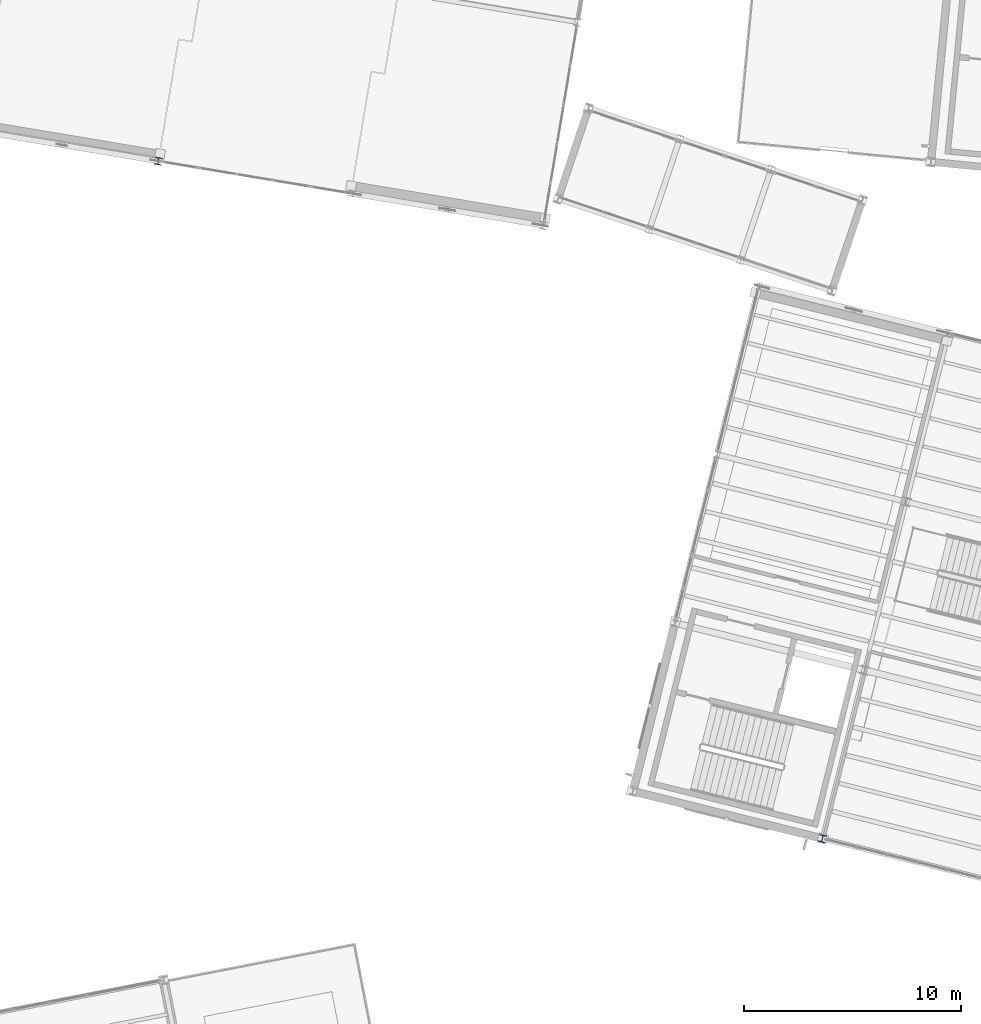
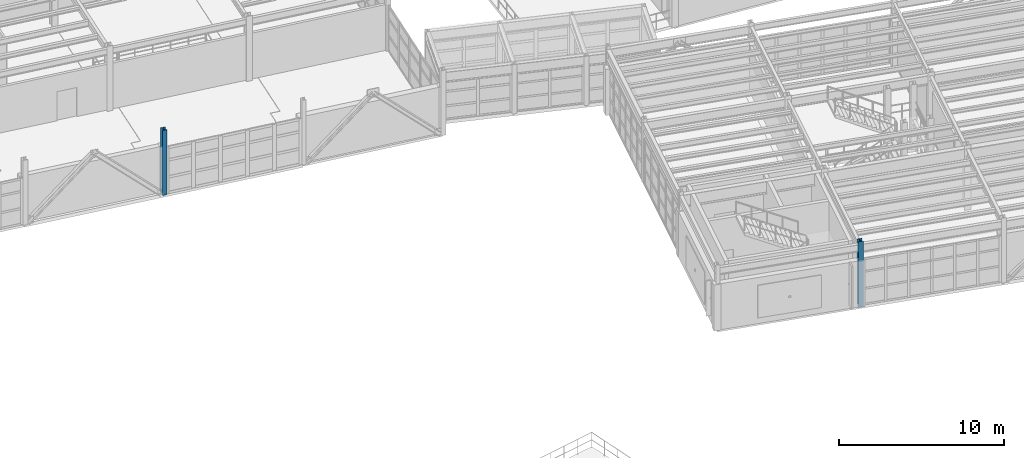
# One storey, part 3 of 102: 2 columns.
"""IFC4 building model written with IfcOpenShell, lengths in metres."""

import ifcopenshell
import ifcopenshell.guid

model = None  # the IFC model being written
_history = None  # IfcOwnerHistory: only IFC2X3 demands one
_inside = {}  # id of a spatial element -> (the spatial element, [elements in it])
_under = {}  # id of a project, library or spatial element -> (it, [spatial elements below it])
_declared = {}  # id of a project -> (the project, [libraries it declares])
_typed = {}  # id of a type object -> (the type object, [elements of that type])
_made_of = {}  # id of a material, layer set ... -> (it, [elements and type objects made of it])


def new_model(schema):
    """Start an empty IFC model of exactly this schema.

    Asked for "IFC4X3", IfcOpenShell would pick the latest addendum, in which some entities
    have other attributes; the version numbers below select the first issue.
    IFC2X3 requires an IfcOwnerHistory on every rooted entity: one is made here for all.
    """
    global model, _history
    if schema == "IFC4X3":
        model = ifcopenshell.file(schema_version=(4, 3, 0, 0))
    else:
        model = ifcopenshell.file(schema=schema)
    _inside.clear()
    _under.clear()
    _declared.clear()
    _typed.clear()
    _made_of.clear()
    _history = None
    if model.schema == "IFC2X3":
        org = make("IfcOrganization", Name="unknown")
        user = make(
            "IfcPersonAndOrganization",
            ThePerson=make("IfcPerson", FamilyName="unknown"),
            TheOrganization=org,
        )
        app = make(
            "IfcApplication",
            ApplicationDeveloper=org,
            Version="unknown",
            ApplicationFullName="unknown",
            ApplicationIdentifier="unknown",
        )
        _history = make(
            "IfcOwnerHistory",
            OwningUser=user,
            OwningApplication=app,
            ChangeAction="ADDED",
            CreationDate=0,
        )
    return model


def make(cls, **values):
    """One entity of the class cls with the attributes given. An attribute that is None is left unset."""
    return model.create_entity(
        cls, **{name: value for name, value in values.items() if value is not None}
    )


def rooted(cls, **values):
    """An entity with a GlobalId (a new one), such as an element, a storey or a relation."""
    return make(cls, GlobalId=ifcopenshell.guid.new(), OwnerHistory=_history, **values)


def si_unit(unit_type, name, prefix=None):
    """IfcSIUnit, for example si_unit("LENGTHUNIT", "METRE", prefix="MILLI")."""
    return make("IfcSIUnit", UnitType=unit_type, Prefix=prefix, Name=name)


def assignment(units):
    """IfcUnitAssignment: the units of a project."""
    return None if units is None else make("IfcUnitAssignment", Units=units)


def point(xyz):
    """IfcCartesianPoint."""
    return None if xyz is None else make("IfcCartesianPoint", Coordinates=xyz)


def direction(xyz):
    """IfcDirection."""
    return None if xyz is None else make("IfcDirection", DirectionRatios=xyz)


def frame(location, z_axis=None, x_axis=None):
    """IfcAxis2Placement3D, a coordinate frame: its origin and axes. An axis left out is left unset."""
    return make(
        "IfcAxis2Placement3D",
        Location=point(location),
        Axis=direction(z_axis),
        RefDirection=direction(x_axis),
    )


def frame_2d(location, x_axis=None):
    """IfcAxis2Placement2D, a coordinate frame in the plane: its origin and x axis."""
    return make(
        "IfcAxis2Placement2D", Location=point(location), RefDirection=direction(x_axis)
    )


def origin():
    """The frame at (0, 0, 0) with its axes left unset."""
    return frame((0.0, 0.0, 0.0))


def origin_2d():
    """The frame at (0, 0) in the plane with its x axis left unset."""
    return frame_2d((0.0, 0.0))


def place(relative_to, where):
    """IfcLocalPlacement: puts the frame where relative to a parent placement (None: the world)."""
    return make(
        "IfcLocalPlacement", PlacementRelTo=relative_to, RelativePlacement=where
    )


def context(
    kind, dimensions, precision=None, world=None, true_north=None, identifier=None
):
    """IfcGeometricRepresentationContext, for example the 3D "Model" context."""
    return make(
        "IfcGeometricRepresentationContext",
        ContextIdentifier=identifier,
        ContextType=kind,
        CoordinateSpaceDimension=dimensions,
        Precision=precision,
        WorldCoordinateSystem=world,
        TrueNorth=true_north,
    )


def subcontext(parent, identifier, kind, view, scale=None):
    """IfcGeometricRepresentationSubContext, for example "Body" below "Model"."""
    return make(
        "IfcGeometricRepresentationSubContext",
        ContextIdentifier=identifier,
        ContextType=kind,
        ParentContext=parent,
        TargetScale=scale,
        TargetView=view,
    )


def project(units=None, contexts=None):
    """IfcProject with its units and contexts."""
    return rooted(
        "IfcProject",
        Name="project",
        RepresentationContexts=contexts,
        UnitsInContext=assignment(units),
    )


def spatial(cls, under=None, at=None, **own):
    """A site, building, storey or space (cls), placed at a placement, below another one or the project."""
    s = rooted(cls, ObjectPlacement=at, **own)
    if under is not None:
        _under.setdefault(under.id(), (under, []))[1].append(s)
    return s


def profile(cls, at=None, kind="AREA", **sizes):
    """A parametric profile (cls). Its sizes go by their IFC names, for example OverallWidth=200.0."""
    return make(cls, ProfileType=kind, Position=at, **sizes)


def i_section(**sizes):
    """IfcIShapeProfileDef."""
    return profile("IfcIShapeProfileDef", **sizes)


def extrude(swept, where, along, depth):
    """IfcExtrudedAreaSolid: the profile swept, set in the frame where, extruded along a direction by depth."""
    return make(
        "IfcExtrudedAreaSolid",
        SweptArea=swept,
        Position=where,
        ExtrudedDirection=direction(along),
        Depth=depth,
    )


def shape(context_of_items, identifier, shape_type, items):
    """IfcShapeRepresentation: the items that make up one representation, for example the "Body"."""
    return make(
        "IfcShapeRepresentation",
        ContextOfItems=context_of_items,
        RepresentationIdentifier=identifier,
        RepresentationType=shape_type,
        Items=items,
    )


def material(Name=None, Category=None):
    """IfcMaterial."""
    return make("IfcMaterial", Name=Name, Category=Category)


def material_profile(
    of_material, cross_section, Name=None, Category=None, Priority=None
):
    """IfcMaterialProfile: a cross section and its material."""
    return make(
        "IfcMaterialProfile",
        Name=Name,
        Material=of_material,
        Profile=cross_section,
        Priority=Priority,
        Category=Category,
    )


def profile_set(profiles, Name=None, composite=None):
    """IfcMaterialProfileSet."""
    return make(
        "IfcMaterialProfileSet",
        Name=Name,
        MaterialProfiles=profiles,
        CompositeProfile=composite,
    )


def made_of(thing, what):
    """Note that an element or type object is made of a material, layer set ...; save() writes the relation."""
    if what is not None:
        _made_of.setdefault(what.id(), (what, []))[1].append(thing)
    return thing


def type_object(cls, material=None, **own):
    """A type object (cls), such as IfcWallType, which elements share."""
    return made_of(rooted(cls, **own), material)


def element(
    cls,
    number,
    at=None,
    inside=None,
    cuts=None,
    type_object=None,
    material=None,
    context=None,
    identifier="Body",
    shape_type=None,
    held_by="IfcProductDefinitionShape",
    body=None,
    shapes=None,
    **own,
):
    """One element of the class cls, such as IfcWall. Its Tag is "e" and its number.

    at: its placement. inside: the storey or other place that contains it. cuts: it is an
    opening in that element (IfcRelVoidsElement). A single representation is given by context,
    identifier, shape_type and body (its items); several are given by shapes. held_by: the class
    of the entity that holds the representations. save() writes the other relations.
    """
    e = rooted(cls, Tag="e%d" % number, ObjectPlacement=at, **own)
    if body is not None:
        shapes = [shape(context, identifier, shape_type, body)]
    if shapes is not None:
        e.Representation = make(held_by, Representations=shapes)
    if inside is not None:
        _inside.setdefault(inside.id(), (inside, []))[1].append(e)
    if cuts is not None:
        rooted(
            "IfcRelVoidsElement", RelatingBuildingElement=cuts, RelatedOpeningElement=e
        )
    if type_object is not None:
        _typed.setdefault(type_object.id(), (type_object, []))[1].append(e)
    return made_of(e, material)


def aggregate(whole, parts):
    """IfcRelAggregates: a whole, such as a stair, and the parts it consists of."""
    return rooted("IfcRelAggregates", RelatingObject=whole, RelatedObjects=parts)


def save(model, path):
    """Write the relations noted so far, then the file.

    IfcRelAggregates (storeys below a building ...), IfcRelContainedInSpatialStructure (elements
    in a storey), IfcRelDefinesByType, IfcRelAssociatesMaterial and IfcRelDeclares: one each for
    every whole, place, type object, material and project.
    """
    for whole, parts in _under.values():
        aggregate(whole, parts)
    for where, things in _inside.values():
        rooted(
            "IfcRelContainedInSpatialStructure",
            RelatedElements=things,
            RelatingStructure=where,
        )
    for kind, things in _typed.values():
        rooted("IfcRelDefinesByType", RelatedObjects=things, RelatingType=kind)
    for what, things in _made_of.values():
        rooted("IfcRelAssociatesMaterial", RelatedObjects=things, RelatingMaterial=what)
    for by, libraries in _declared.values():
        rooted("IfcRelDeclares", RelatingContext=by, RelatedDefinitions=libraries)
    model.write(path)


model = new_model("IFC4")

# Units and contexts
model_context = context("Model", 3, precision=1e-05, world=origin(), true_north=direction((0.0, 1.0)))
body_context = subcontext(model_context, "Body", "Model", "MODEL_VIEW")
ifc_project = project(units=[si_unit("LENGTHUNIT", "METRE"), si_unit("AREAUNIT", "SQUARE_METRE"), si_unit("VOLUMEUNIT", "CUBIC_METRE"), si_unit("PLANEANGLEUNIT", "RADIAN"), si_unit("MASSUNIT", "GRAM", prefix="KILO")], contexts=[model_context])

# Site, building, storey
site_placement = place(None, origin())
site = spatial("IfcSite", under=ifc_project, at=site_placement, CompositionType="ELEMENT")
building_placement = place(site_placement, origin())
building = spatial("IfcBuilding", under=site, at=building_placement, Name="Vireo Bluff Cable Station", CompositionType="ELEMENT")
storey_placement = place(building_placement, frame((0.0, 0.0, 9.60009765625)))
storey = spatial("IfcBuildingStorey", under=building, at=storey_placement, Name="L02", CompositionType="ELEMENT", Elevation=9.60009765625)

# Columns
ifc_material = material(Name="Steel ASTM A992 Gr. 50", Category="steel")
ifc_material_profile = material_profile(ifc_material, i_section(OverallWidth=0.30908203125, OverallDepth=0.322998046875, WebThickness=0.013916015625, FlangeThickness=0.02294921875, FilletRadius=0.012939453125, at=origin_2d()), Name="W12X96")
ifc_profile_set = profile_set([ifc_material_profile], Name="Steel ASTM A992 Gr. 50")
column_type = type_object("IfcColumnType", Name="ECOL-W12X96", PredefinedType="COLUMN", material=ifc_profile_set)
for number, where, z_axis, x_axis, name in (
    (1, (62.732666015625, 35.82275390625, 0.0), (0.0, 0.0, 1.0), (0.970295726276, -0.2419218956, 0.0), "V1 L02 column 23"),
    (2, (32.129638671875, 67.043701171875, 0.0), (0.0, 0.0, 1.0), (0.986285601537, -0.165047605861, 0.0), "V4 L02 column 293"),
):
    element("IfcColumn", number, at=place(storey_placement, frame(where, z_axis=z_axis, x_axis=x_axis)), inside=storey, type_object=column_type, Name=name, PredefinedType="COLUMN", context=body_context, shape_type="SweptSolid", body=[
        extrude(i_section(OverallWidth=0.30908203125, OverallDepth=0.322998046875, WebThickness=0.013916015625, FlangeThickness=0.02294921875, FilletRadius=0.012939453125, at=origin_2d()), origin(), (0.0, 0.0, 1.0), 4.7998046875),
    ])

save(model, "model.ifc")
